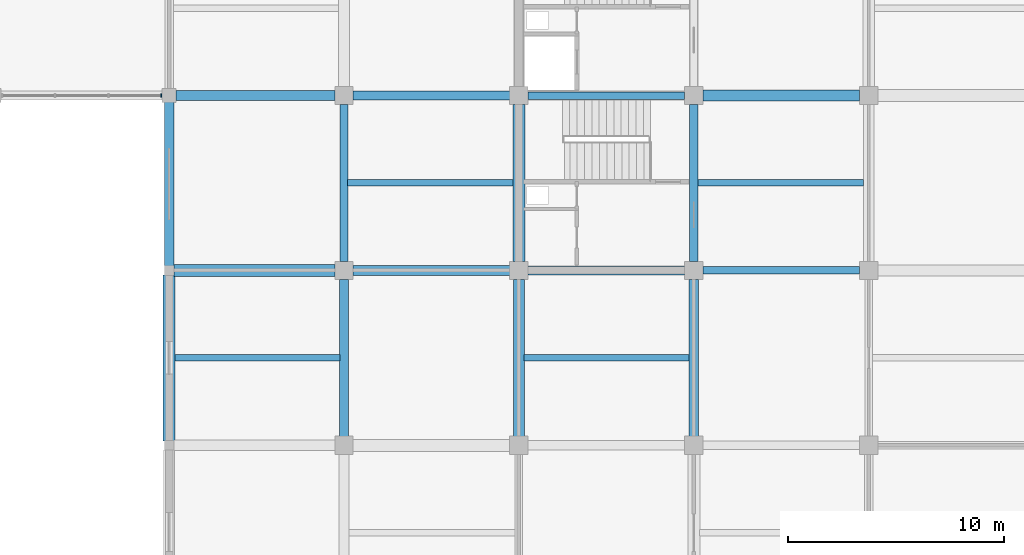
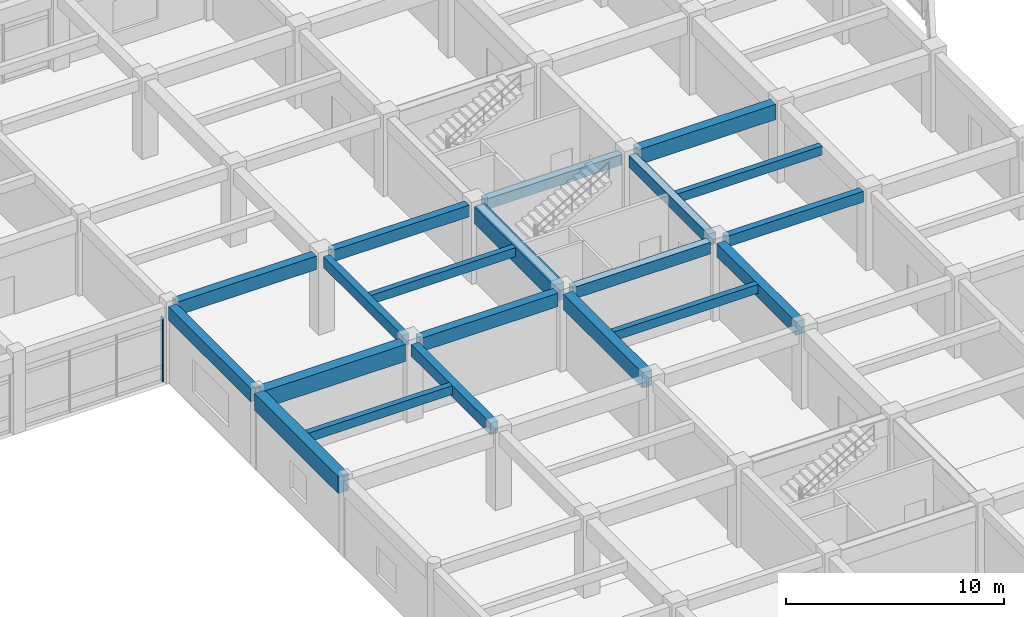
# One storey, part 39 of 93: 20 beams, 1 member, 1 element without a shape of its own.
"""IFC4 building model written with IfcOpenShell, lengths in metres."""

from ifc_helpers import new_model, si_unit, direction, frame, origin, origin_2d, place, context, subcontext, project, spatial, rectangle, extrude, material, layer, layer_set, material_profile, profile_set, type_object, element, aggregate, save


model = new_model("IFC4")

# Units and contexts
model_context = context("Model", 3, precision=1e-05, world=origin(), true_north=direction((0.0, 1.0)))
body_context = subcontext(model_context, "Body", "Model", "MODEL_VIEW")
ifc_project = project(units=[si_unit("LENGTHUNIT", "METRE"), si_unit("AREAUNIT", "SQUARE_METRE"), si_unit("VOLUMEUNIT", "CUBIC_METRE"), si_unit("PLANEANGLEUNIT", "RADIAN"), si_unit("MASSUNIT", "GRAM", prefix="KILO")], contexts=[model_context])

# Site, building, storey
site_placement = place(None, origin())
site = spatial("IfcSite", under=ifc_project, at=site_placement, CompositionType="ELEMENT")
building_placement = place(site_placement, origin())
building = spatial("IfcBuilding", under=site, at=building_placement, Name="Vaudrelin Polytechnic", CompositionType="ELEMENT")
storey_placement = place(building_placement, frame((0.0, 0.0, 5.10009765625)))
storey = spatial("IfcBuildingStorey", under=building, at=storey_placement, Name="L01", CompositionType="ELEMENT", Elevation=5.10009765625)

# Beams
ifc_material_1 = material(Name="Concrete 40 MPa", Category="concrete")
ifc_material_profile_1 = material_profile(ifc_material_1, rectangle(XDim=0.35009765625, YDim=0.60009765625, at=origin_2d()), Name="RC350x600")
ifc_profile_set_1 = profile_set([ifc_material_profile_1], Name="Concrete 40 MPa")
beam_type_1 = type_object("IfcBeamType", Name="BM-BM-RC3560", PredefinedType="BEAM", material=ifc_profile_set_1)
beam_1_placement = place(storey_placement, frame((137.699951171875, 89.510009765625, 4.010009765625), z_axis=(0.0, 1.0, 0.0), x_axis=(-1.0, 0.0, 0.0)))
element("IfcBeam", 1, at=beam_1_placement, inside=storey, type_object=beam_type_1, Name="L01 Y-beam 18-12", PredefinedType="BEAM", context=body_context, shape_type="SweptSolid", body=[
    extrude(rectangle(XDim=0.35009765625, YDim=0.60009765625, at=origin_2d()), origin(), (0.0, 0.0, 1.0), 7.280029296875),
])
for number, where, z_axis, x_axis, name in (
    (2, (146.220947265625, 97.199951171875, 4.010009765625), (1.0, 0.0, 0.0), (0.0, 1.0, 0.0), "L01 X-beam 19-13"),
    (3, (154.321044921875, 89.10009765625, 4.010009765625), (1.0, 0.0, 0.0), (0.0, 1.0, 0.0), "L01 X-beam 20-12"),
):
    element("IfcBeam", number, at=place(storey_placement, frame(where, z_axis=z_axis, x_axis=x_axis)), inside=storey, type_object=beam_type_1, Name=name, PredefinedType="BEAM", context=body_context, shape_type="SweptSolid", body=[
        extrude(rectangle(XDim=0.35009765625, YDim=0.60009765625, at=origin_2d()), origin(), (0.0, 0.0, 1.0), 7.258056640625),
    ])
ifc_material_profile_2 = material_profile(ifc_material_1, rectangle(XDim=0.39990234375, YDim=0.64990234375, at=origin_2d()), Name="RC400x650")
ifc_profile_set_2 = profile_set([ifc_material_profile_2], Name="Concrete 40 MPa")
beam_type_2 = type_object("IfcBeamType", Name="BM-BM-RC4065", PredefinedType="BEAM", material=ifc_profile_set_2)
for number, where, z_axis, x_axis, name in (
    (4, (137.699951171875, 81.409912109375, 3.98486328125), (0.0, 1.0, 0.0), (-1.0, 0.0, 0.0), "L01 Y-beam 18-11"),
    (5, (153.89990234375, 89.510009765625, 3.98486328125), (0.0, 1.0, 0.0), (-1.0, 0.0, 0.0), "L01 Y-beam 20-12"),
):
    element("IfcBeam", number, at=place(storey_placement, frame(where, z_axis=z_axis, x_axis=x_axis)), inside=storey, type_object=beam_type_2, Name=name, PredefinedType="BEAM", context=body_context, shape_type="SweptSolid", body=[
        extrude(rectangle(XDim=0.39990234375, YDim=0.64990234375, at=origin_2d()), origin(), (0.0, 0.0, 1.0), 7.280029296875),
    ])
beam_2_placement = place(storey_placement, frame((138.12109375, 97.199951171875, 3.98486328125), z_axis=(1.0, 0.0, 0.0), x_axis=(0.0, 1.0, 0.0)))
element("IfcBeam", 6, at=beam_2_placement, inside=storey, type_object=beam_type_2, Name="L01 X-beam 18-13", PredefinedType="BEAM", context=body_context, shape_type="SweptSolid", body=[
    extrude(rectangle(XDim=0.39990234375, YDim=0.64990234375, at=origin_2d()), origin(), (0.0, 0.0, 1.0), 7.2578125),
])
beam_3_placement = place(storey_placement, frame((146.220947265625, 89.10009765625, 3.98486328125), z_axis=(1.0, 0.0, 0.0), x_axis=(0.0, 1.0, 0.0)))
element("IfcBeam", 7, at=beam_3_placement, inside=storey, type_object=beam_type_2, Name="L01 X-beam 19-12", PredefinedType="BEAM", context=body_context, shape_type="SweptSolid", body=[
    extrude(rectangle(XDim=0.39990234375, YDim=0.64990234375, at=origin_2d()), origin(), (0.0, 0.0, 1.0), 7.258056640625),
])
ifc_material_profile_3 = material_profile(ifc_material_1, rectangle(XDim=0.449951171875, YDim=0.75, at=origin_2d()), Name="RC450x750")
ifc_profile_set_3 = profile_set([ifc_material_profile_3], Name="Concrete 40 MPa")
beam_type_3 = type_object("IfcBeamType", Name="BM-BM-RC4575", PredefinedType="BEAM", material=ifc_profile_set_3)
beam_4_placement = place(storey_placement, frame((129.60009765625, 89.31005859375, 3.934814453125), z_axis=(0.0, 1.0, 0.0), x_axis=(-1.0, 0.0, 0.0)))
element("IfcBeam", 8, at=beam_4_placement, inside=storey, type_object=beam_type_3, Name="L01 Y-beam 17-12", PredefinedType="BEAM", context=body_context, shape_type="SweptSolid", body=[
    extrude(rectangle(XDim=0.449951171875, YDim=0.75, at=origin_2d()), origin(), (0.0, 0.0, 1.0), 7.579833984375),
])
beam_5_placement = place(storey_placement, frame((153.89990234375, 81.409912109375, 3.934814453125), z_axis=(0.0, 1.0, 0.0), x_axis=(-1.0, 0.0, 0.0)))
element("IfcBeam", 9, at=beam_5_placement, inside=storey, type_object=beam_type_3, Name="L01 Y-beam 20-11", PredefinedType="BEAM", context=body_context, shape_type="SweptSolid", body=[
    extrude(rectangle(XDim=0.449951171875, YDim=0.75, at=origin_2d()), origin(), (0.0, 0.0, 1.0), 7.280029296875),
])
beam_6_placement = place(storey_placement, frame((129.9208984375, 97.199951171875, 3.934814453125), z_axis=(1.0, 0.0, 0.0), x_axis=(0.0, 1.0, 0.0)))
element("IfcBeam", 10, at=beam_6_placement, inside=storey, type_object=beam_type_3, Name="L01 X-beam 17-13", PredefinedType="BEAM", context=body_context, shape_type="SweptSolid", body=[
    extrude(rectangle(XDim=0.449951171875, YDim=0.75, at=origin_2d()), origin(), (0.0, 0.0, 1.0), 7.358154296875),
])
beam_7_placement = place(storey_placement, frame((138.12109375, 89.10009765625, 3.934814453125), z_axis=(1.0, 0.0, 0.0), x_axis=(0.0, 1.0, 0.0)))
element("IfcBeam", 11, at=beam_7_placement, inside=storey, type_object=beam_type_3, Name="L01 X-beam 18-12", PredefinedType="BEAM", context=body_context, shape_type="SweptSolid", body=[
    extrude(rectangle(XDim=0.449951171875, YDim=0.75, at=origin_2d()), origin(), (0.0, 0.0, 1.0), 7.2578125),
])
ifc_material_profile_4 = material_profile(ifc_material_1, rectangle(XDim=0.5, YDim=0.85009765625, at=origin_2d()), Name="RC500x850")
ifc_profile_set_4 = profile_set([ifc_material_profile_4], Name="Concrete 40 MPa")
beam_type_4 = type_object("IfcBeamType", Name="BM-BM-RC5085", PredefinedType="BEAM", material=ifc_profile_set_4)
beam_8_placement = place(storey_placement, frame((145.800048828125, 81.409912109375, 3.885009765625), z_axis=(0.0, 1.0, 0.0), x_axis=(-1.0, 0.0, 0.0)))
element("IfcBeam", 12, at=beam_8_placement, inside=storey, type_object=beam_type_4, Name="L01 Y-beam 19-11", PredefinedType="BEAM", context=body_context, shape_type="SweptSolid", body=[
    extrude(rectangle(XDim=0.5, YDim=0.85009765625, at=origin_2d()), origin(), (0.0, 0.0, 1.0), 7.280029296875),
])
beam_9_placement = place(storey_placement, frame((154.321044921875, 97.199951171875, 3.885009765625), z_axis=(1.0, 0.0, 0.0), x_axis=(0.0, 1.0, 0.0)))
element("IfcBeam", 13, at=beam_9_placement, inside=storey, type_object=beam_type_4, Name="L01 X-beam 20-13", PredefinedType="BEAM", context=body_context, shape_type="SweptSolid", body=[
    extrude(rectangle(XDim=0.5, YDim=0.85009765625, at=origin_2d()), origin(), (0.0, 0.0, 1.0), 7.258056640625),
])
ifc_material_2 = material(Name="Concrete 50 MPa", Category="concrete")
ifc_material_profile_5 = material_profile(ifc_material_2, rectangle(XDim=0.550048828125, YDim=0.949951171875, at=origin_2d()), Name="RC550x950")
ifc_profile_set_5 = profile_set([ifc_material_profile_5], Name="Concrete 50 MPa")
beam_type_5 = type_object("IfcBeamType", Name="BM-BM-RC5595", PredefinedType="BEAM", material=ifc_profile_set_5)
beam_10_placement = place(storey_placement, frame((129.60009765625, 81.2099609375, 3.8349609375), z_axis=(0.0, 1.0, 0.0), x_axis=(-1.0, 0.0, 0.0)))
element("IfcBeam", 14, at=beam_10_placement, inside=storey, type_object=beam_type_5, Name="L01 Y-beam 17-11", PredefinedType="BEAM", context=body_context, shape_type="SweptSolid", body=[
    extrude(rectangle(XDim=0.550048828125, YDim=0.949951171875, at=origin_2d()), origin(), (0.0, 0.0, 1.0), 7.679931640625),
])
beam_11_placement = place(storey_placement, frame((145.800048828125, 89.510009765625, 3.8349609375), z_axis=(0.0, 1.0, 0.0), x_axis=(-1.0, 0.0, 0.0)))
element("IfcBeam", 15, at=beam_11_placement, inside=storey, type_object=beam_type_5, Name="L01 Y-beam 19-12", PredefinedType="BEAM", context=body_context, shape_type="SweptSolid", body=[
    extrude(rectangle(XDim=0.550048828125, YDim=0.949951171875, at=origin_2d()), origin(), (0.0, 0.0, 1.0), 7.280029296875),
])
beam_12_placement = place(storey_placement, frame((129.821044921875, 89.10009765625, 3.8349609375), z_axis=(1.0, 0.0, 0.0), x_axis=(0.0, 1.0, 0.0)))
element("IfcBeam", 16, at=beam_12_placement, inside=storey, type_object=beam_type_5, Name="L01 X-beam 17-12", PredefinedType="BEAM", context=body_context, shape_type="SweptSolid", body=[
    extrude(rectangle(XDim=0.550048828125, YDim=0.949951171875, at=origin_2d()), origin(), (0.0, 0.0, 1.0), 7.4580078125),
])
ifc_material_profile_6 = material_profile(ifc_material_1, rectangle(XDim=0.300048828125, YDim=0.5, at=origin_2d()), Name="RC300x500")
ifc_profile_set_6 = profile_set([ifc_material_profile_6], Name="Concrete 40 MPa")
beam_type_6 = type_object("IfcBeamType", Name="BM-JS-RC3050", PredefinedType="JOIST", material=ifc_profile_set_6)
beam_13_placement = place(storey_placement, frame((129.87109375, 85.050048828125, 4.059814453125), z_axis=(1.0, 0.0, 0.0), x_axis=(0.0, 1.0, 0.0)))
element("IfcBeam", 17, at=beam_13_placement, inside=storey, type_object=beam_type_6, Name="L01 floor joist 17-11", PredefinedType="JOIST", context=body_context, shape_type="SweptSolid", body=[
    extrude(rectangle(XDim=0.300048828125, YDim=0.5, at=origin_2d()), origin(), (0.0, 0.0, 1.0), 7.6328125),
])
beam_14_placement = place(storey_placement, frame((137.87109375, 93.14990234375, 4.059814453125), z_axis=(1.0, 0.0, 0.0), x_axis=(0.0, 1.0, 0.0)))
element("IfcBeam", 18, at=beam_14_placement, inside=storey, type_object=beam_type_6, Name="L01 floor joist 18-12", PredefinedType="JOIST", context=body_context, shape_type="SweptSolid", body=[
    extrude(rectangle(XDim=0.300048828125, YDim=0.5, at=origin_2d()), origin(), (0.0, 0.0, 1.0), 7.657958984375),
])
beam_15_placement = place(storey_placement, frame((146.0458984375, 85.050048828125, 4.059814453125), z_axis=(1.0, 0.0, 0.0), x_axis=(0.0, 1.0, 0.0)))
element("IfcBeam", 19, at=beam_15_placement, inside=storey, type_object=beam_type_6, Name="L01 floor joist 19-11", PredefinedType="JOIST", context=body_context, shape_type="SweptSolid", body=[
    extrude(rectangle(XDim=0.300048828125, YDim=0.5, at=origin_2d()), origin(), (0.0, 0.0, 1.0), 7.633056640625),
])
beam_16_placement = place(storey_placement, frame((154.095947265625, 93.14990234375, 4.059814453125), z_axis=(1.0, 0.0, 0.0), x_axis=(0.0, 1.0, 0.0)))
element("IfcBeam", 20, at=beam_16_placement, inside=storey, type_object=beam_type_6, Name="L01 floor joist 20-12", PredefinedType="JOIST", context=body_context, shape_type="SweptSolid", body=[
    extrude(rectangle(XDim=0.300048828125, YDim=0.5, at=origin_2d()), origin(), (0.0, 0.0, 1.0), 7.657958984375),
])

# Curtain wall, member
ifc_material_3 = material(Name="Thermally broken anodised aluminium AA 6063-T6 and low-e triple glazing", Category="aluminium")
ifc_layer = layer(ifc_material_3, 0.199951171875)
ifc_layer_set = layer_set([ifc_layer], Name="Thermally broken anodised aluminium AA 6063-T6 and low-e triple glazing")
curtain_wall_type = type_object("IfcCurtainWallType", Name="CW-CW-LIB", PredefinedType="USERDEFINED", material=ifc_layer_set)
curtain_wall_placement = place(storey_placement, origin())
curtain_wall = element("IfcCurtainWall", 21, at=curtain_wall_placement, inside=storey, type_object=curtain_wall_type, Name="Curtain wall L01 CT_N_11", ObjectType="CURTAIN WALL", PredefinedType="USERDEFINED")
ifc_material_4 = material(Name="Anodised aluminium AA 6063-T6", Category="aluminium")
ifc_material_profile_7 = material_profile(ifc_material_4, rectangle(XDim=0.06494140625, YDim=0.179931640625, at=origin_2d()), Name="CWM-65x180")
ifc_profile_set_7 = profile_set([ifc_material_profile_7], Name="Anodised aluminium AA 6063-T6")
member_type = type_object("IfcMemberType", Name="MEM-CWM-180", PredefinedType="MULLION", material=ifc_profile_set_7)
member_placement = place(storey_placement, frame((129.237060546875, 97.199951171875, 0.0), z_axis=(0.0, 0.0, 1.0), x_axis=(1.0, 0.0, 0.0)))
member = element("IfcMember", 22, at=member_placement, type_object=member_type, Name="CT_N_11 mullion 4", PredefinedType="MULLION", context=body_context, shape_type="SweptSolid", body=[
    extrude(rectangle(XDim=0.06494140625, YDim=0.179931640625, at=origin_2d()), origin(), (0.0, 0.0, 1.0), 3.601806640625),
])
aggregate(curtain_wall, [member])

save(model, "model.ifc")
